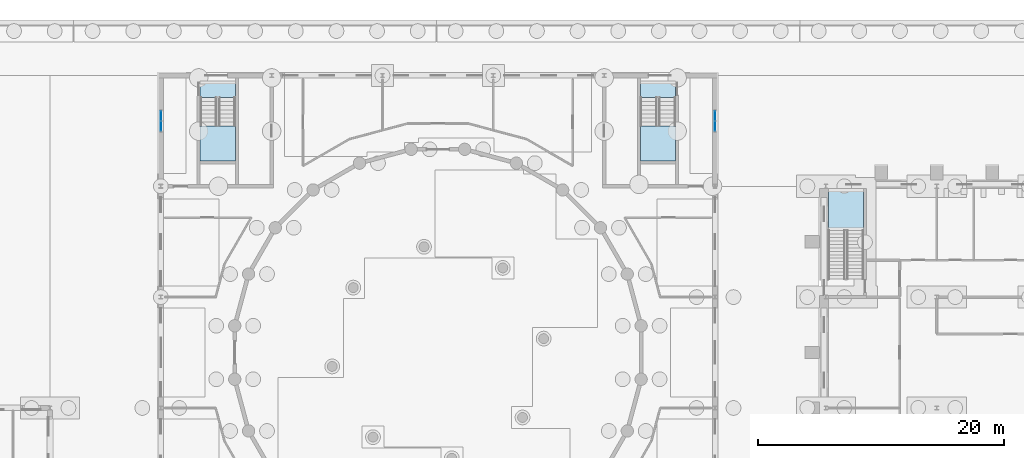
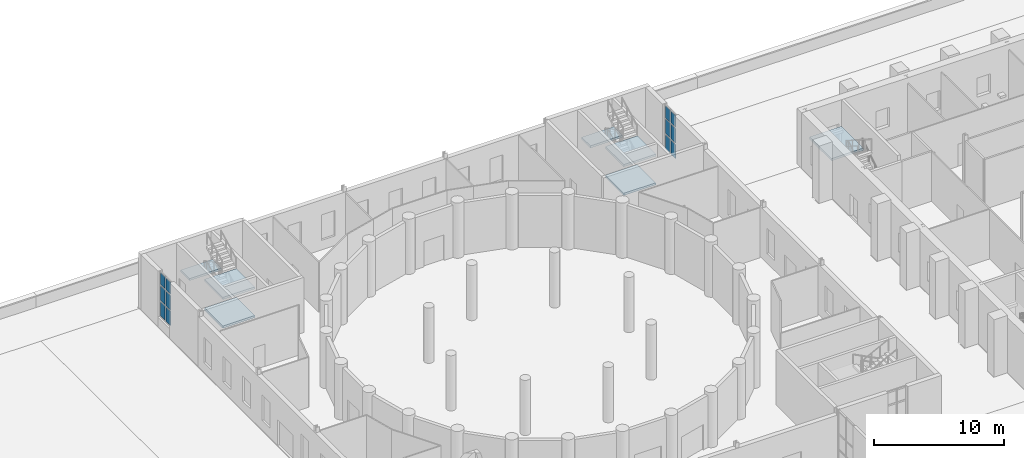
# One storey, part 82 of 168: 12 plates, 7 slabs, 5 elements without a shape of their own.
"""IFC4 building model written with IfcOpenShell, lengths in metres."""

import ifcopenshell
import ifcopenshell.guid

model = None  # the IFC model being written
_history = None  # IfcOwnerHistory: only IFC2X3 demands one
_inside = {}  # id of a spatial element -> (the spatial element, [elements in it])
_under = {}  # id of a project, library or spatial element -> (it, [spatial elements below it])
_declared = {}  # id of a project -> (the project, [libraries it declares])
_typed = {}  # id of a type object -> (the type object, [elements of that type])
_made_of = {}  # id of a material, layer set ... -> (it, [elements and type objects made of it])


def new_model(schema):
    """Start an empty IFC model of exactly this schema.

    Asked for "IFC4X3", IfcOpenShell would pick the latest addendum, in which some entities
    have other attributes; the version numbers below select the first issue.
    IFC2X3 requires an IfcOwnerHistory on every rooted entity: one is made here for all.
    """
    global model, _history
    if schema == "IFC4X3":
        model = ifcopenshell.file(schema_version=(4, 3, 0, 0))
    else:
        model = ifcopenshell.file(schema=schema)
    _inside.clear()
    _under.clear()
    _declared.clear()
    _typed.clear()
    _made_of.clear()
    _history = None
    if model.schema == "IFC2X3":
        org = make("IfcOrganization", Name="unknown")
        user = make(
            "IfcPersonAndOrganization",
            ThePerson=make("IfcPerson", FamilyName="unknown"),
            TheOrganization=org,
        )
        app = make(
            "IfcApplication",
            ApplicationDeveloper=org,
            Version="unknown",
            ApplicationFullName="unknown",
            ApplicationIdentifier="unknown",
        )
        _history = make(
            "IfcOwnerHistory",
            OwningUser=user,
            OwningApplication=app,
            ChangeAction="ADDED",
            CreationDate=0,
        )
    return model


def make(cls, **values):
    """One entity of the class cls with the attributes given. An attribute that is None is left unset."""
    return model.create_entity(
        cls, **{name: value for name, value in values.items() if value is not None}
    )


def rooted(cls, **values):
    """An entity with a GlobalId (a new one), such as an element, a storey or a relation."""
    return make(cls, GlobalId=ifcopenshell.guid.new(), OwnerHistory=_history, **values)


def si_unit(unit_type, name, prefix=None):
    """IfcSIUnit, for example si_unit("LENGTHUNIT", "METRE", prefix="MILLI")."""
    return make("IfcSIUnit", UnitType=unit_type, Prefix=prefix, Name=name)


def assignment(units):
    """IfcUnitAssignment: the units of a project."""
    return None if units is None else make("IfcUnitAssignment", Units=units)


def point(xyz):
    """IfcCartesianPoint."""
    return None if xyz is None else make("IfcCartesianPoint", Coordinates=xyz)


def direction(xyz):
    """IfcDirection."""
    return None if xyz is None else make("IfcDirection", DirectionRatios=xyz)


def frame(location, z_axis=None, x_axis=None):
    """IfcAxis2Placement3D, a coordinate frame: its origin and axes. An axis left out is left unset."""
    return make(
        "IfcAxis2Placement3D",
        Location=point(location),
        Axis=direction(z_axis),
        RefDirection=direction(x_axis),
    )


def frame_2d(location, x_axis=None):
    """IfcAxis2Placement2D, a coordinate frame in the plane: its origin and x axis."""
    return make(
        "IfcAxis2Placement2D", Location=point(location), RefDirection=direction(x_axis)
    )


def origin():
    """The frame at (0, 0, 0) with its axes left unset."""
    return frame((0.0, 0.0, 0.0))


def origin_2d():
    """The frame at (0, 0) in the plane with its x axis left unset."""
    return frame_2d((0.0, 0.0))


def place(relative_to, where):
    """IfcLocalPlacement: puts the frame where relative to a parent placement (None: the world)."""
    return make(
        "IfcLocalPlacement", PlacementRelTo=relative_to, RelativePlacement=where
    )


def context(
    kind, dimensions, precision=None, world=None, true_north=None, identifier=None
):
    """IfcGeometricRepresentationContext, for example the 3D "Model" context."""
    return make(
        "IfcGeometricRepresentationContext",
        ContextIdentifier=identifier,
        ContextType=kind,
        CoordinateSpaceDimension=dimensions,
        Precision=precision,
        WorldCoordinateSystem=world,
        TrueNorth=true_north,
    )


def subcontext(parent, identifier, kind, view, scale=None):
    """IfcGeometricRepresentationSubContext, for example "Body" below "Model"."""
    return make(
        "IfcGeometricRepresentationSubContext",
        ContextIdentifier=identifier,
        ContextType=kind,
        ParentContext=parent,
        TargetScale=scale,
        TargetView=view,
    )


def project(units=None, contexts=None):
    """IfcProject with its units and contexts."""
    return rooted(
        "IfcProject",
        Name="project",
        RepresentationContexts=contexts,
        UnitsInContext=assignment(units),
    )


def spatial(cls, under=None, at=None, **own):
    """A site, building, storey or space (cls), placed at a placement, below another one or the project."""
    s = rooted(cls, ObjectPlacement=at, **own)
    if under is not None:
        _under.setdefault(under.id(), (under, []))[1].append(s)
    return s


def polyline(points):
    """IfcPolyline through the points."""
    return make("IfcPolyline", Points=[point(p) for p in points])


def profile(cls, at=None, kind="AREA", **sizes):
    """A parametric profile (cls). Its sizes go by their IFC names, for example OverallWidth=200.0."""
    return make(cls, ProfileType=kind, Position=at, **sizes)


def rectangle(**sizes):
    """IfcRectangleProfileDef."""
    return profile("IfcRectangleProfileDef", **sizes)


def outline(outer, holes=None, kind="AREA"):
    """IfcArbitraryClosedProfileDef: a profile drawn as a closed curve; with holes, ...WithVoids."""
    if holes is None:
        return make("IfcArbitraryClosedProfileDef", ProfileType=kind, OuterCurve=outer)
    return make(
        "IfcArbitraryProfileDefWithVoids",
        ProfileType=kind,
        OuterCurve=outer,
        InnerCurves=holes,
    )


def extrude(swept, where, along, depth):
    """IfcExtrudedAreaSolid: the profile swept, set in the frame where, extruded along a direction by depth."""
    return make(
        "IfcExtrudedAreaSolid",
        SweptArea=swept,
        Position=where,
        ExtrudedDirection=direction(along),
        Depth=depth,
    )


def shape(context_of_items, identifier, shape_type, items):
    """IfcShapeRepresentation: the items that make up one representation, for example the "Body"."""
    return make(
        "IfcShapeRepresentation",
        ContextOfItems=context_of_items,
        RepresentationIdentifier=identifier,
        RepresentationType=shape_type,
        Items=items,
    )


def material(Name=None, Category=None):
    """IfcMaterial."""
    return make("IfcMaterial", Name=Name, Category=Category)


def layer(
    of_material, thickness, ventilated=None, Name=None, Category=None, Priority=None
):
    """IfcMaterialLayer: one layer of a wall or slab, of a material (None: an air gap)."""
    return make(
        "IfcMaterialLayer",
        Material=of_material,
        LayerThickness=thickness,
        IsVentilated=ventilated,
        Name=Name,
        Category=Category,
        Priority=Priority,
    )


def layer_set(layers, Name=None):
    """IfcMaterialLayerSet."""
    return make("IfcMaterialLayerSet", MaterialLayers=layers, LayerSetName=Name)


def made_of(thing, what):
    """Note that an element or type object is made of a material, layer set ...; save() writes the relation."""
    if what is not None:
        _made_of.setdefault(what.id(), (what, []))[1].append(thing)
    return thing


def type_object(cls, material=None, **own):
    """A type object (cls), such as IfcWallType, which elements share."""
    return made_of(rooted(cls, **own), material)


def element(
    cls,
    number,
    at=None,
    inside=None,
    cuts=None,
    type_object=None,
    material=None,
    context=None,
    identifier="Body",
    shape_type=None,
    held_by="IfcProductDefinitionShape",
    body=None,
    shapes=None,
    **own,
):
    """One element of the class cls, such as IfcWall. Its Tag is "e" and its number.

    at: its placement. inside: the storey or other place that contains it. cuts: it is an
    opening in that element (IfcRelVoidsElement). A single representation is given by context,
    identifier, shape_type and body (its items); several are given by shapes. held_by: the class
    of the entity that holds the representations. save() writes the other relations.
    """
    e = rooted(cls, Tag="e%d" % number, ObjectPlacement=at, **own)
    if body is not None:
        shapes = [shape(context, identifier, shape_type, body)]
    if shapes is not None:
        e.Representation = make(held_by, Representations=shapes)
    if inside is not None:
        _inside.setdefault(inside.id(), (inside, []))[1].append(e)
    if cuts is not None:
        rooted(
            "IfcRelVoidsElement", RelatingBuildingElement=cuts, RelatedOpeningElement=e
        )
    if type_object is not None:
        _typed.setdefault(type_object.id(), (type_object, []))[1].append(e)
    return made_of(e, material)


def aggregate(whole, parts):
    """IfcRelAggregates: a whole, such as a stair, and the parts it consists of."""
    return rooted("IfcRelAggregates", RelatingObject=whole, RelatedObjects=parts)


def save(model, path):
    """Write the relations noted so far, then the file.

    IfcRelAggregates (storeys below a building ...), IfcRelContainedInSpatialStructure (elements
    in a storey), IfcRelDefinesByType, IfcRelAssociatesMaterial and IfcRelDeclares: one each for
    every whole, place, type object, material and project.
    """
    for whole, parts in _under.values():
        aggregate(whole, parts)
    for where, things in _inside.values():
        rooted(
            "IfcRelContainedInSpatialStructure",
            RelatedElements=things,
            RelatingStructure=where,
        )
    for kind, things in _typed.values():
        rooted("IfcRelDefinesByType", RelatedObjects=things, RelatingType=kind)
    for what, things in _made_of.values():
        rooted("IfcRelAssociatesMaterial", RelatedObjects=things, RelatingMaterial=what)
    for by, libraries in _declared.values():
        rooted("IfcRelDeclares", RelatingContext=by, RelatedDefinitions=libraries)
    model.write(path)


model = new_model("IFC4")

# Units and contexts
model_context = context("Model", 3, precision=1e-05, world=origin(), true_north=direction((0.0, 1.0)))
body_context = subcontext(model_context, "Body", "Model", "MODEL_VIEW")
ifc_project = project(units=[si_unit("LENGTHUNIT", "METRE"), si_unit("AREAUNIT", "SQUARE_METRE"), si_unit("VOLUMEUNIT", "CUBIC_METRE"), si_unit("PLANEANGLEUNIT", "RADIAN"), si_unit("MASSUNIT", "GRAM", prefix="KILO")], contexts=[model_context])

# Site, building, storey
site_placement = place(None, origin())
site = spatial("IfcSite", under=ifc_project, at=site_placement, CompositionType="ELEMENT")
building_placement = place(site_placement, origin())
building = spatial("IfcBuilding", under=site, at=building_placement, Name="Golden Quay Civic Hall", CompositionType="ELEMENT")
storey_placement = place(building_placement, origin())
storey = spatial("IfcBuildingStorey", under=building, at=storey_placement, Name="L00", CompositionType="ELEMENT", Elevation=0.0)

# Stair, slab
ifc_material_1 = material(Name="Concrete C40/50", Category="concrete")
stair_type_1 = type_object("IfcStairType", Name="Concrete half-turn stair 30 risers", PredefinedType="HALF_TURN_STAIR", material=ifc_material_1)
stair_1_placement = place(storey_placement, origin())
stair_1 = element("IfcStair", 1, at=stair_1_placement, inside=storey, type_object=stair_type_1, Name="L00 Protected Exit Stair LB-N", PredefinedType="HALF_TURN_STAIR")
ifc_material_2 = material(Name="Concrete C35/45", Category="concrete")
ifc_layer_1 = layer(ifc_material_2, 0.199951171875)
ifc_layer_set_1 = layer_set([ifc_layer_1], Name="Concrete stair landing 200, Concrete C35/45")
slab_type_1 = type_object("IfcSlabType", Name="Concrete stair landing 200", PredefinedType="LANDING", material=ifc_layer_set_1)
slab_1_placement = place(storey_placement, frame((0.0, 0.0, 2.5)))
slab_1 = element("IfcSlab", 2, at=slab_1_placement, type_object=slab_type_1, Name="LB-STN landing 1", PredefinedType="LANDING", context=body_context, shape_type="SweptSolid", body=[
    extrude(outline(polyline([(120.050048828125, 95.39501953125), (120.050048828125, 98.800048828125), (117.199951171875, 98.800048828125), (117.199951171875, 95.39501953125), (120.050048828125, 95.39501953125)])), origin(), (0.0, 0.0, 1.0), 0.199951171875),
])
aggregate(stair_1, [slab_1])

# Curtain wall, plates
ifc_material_3 = material(Name="Fire-resisting glass and steel", Category="steel")
curtain_wall_type = type_object("IfcCurtainWallType", Name="Fire-resisting glazed stair curtain wall EI 120", PredefinedType="NOTDEFINED", material=ifc_material_3)
curtain_wall_1_placement = place(storey_placement, origin())
curtain_wall_1 = element("IfcCurtainWall", 3, at=curtain_wall_1_placement, inside=storey, type_object=curtain_wall_type, Name="CW4 stair curtain wall", PredefinedType="NOTDEFINED")
ifc_material_4 = material(Name="Fire-resisting laminated glass", Category="glass")
ifc_layer_2 = layer(ifc_material_4, 0.0400390625)
ifc_layer_set_2 = layer_set([ifc_layer_2], Name="Fire-resisting glazed stair panel 40")
plate_type = type_object("IfcPlateType", Name="Fire-resisting glazed stair panel 40", PredefinedType="CURTAIN_PANEL", material=ifc_layer_set_2)
plate_1_placement = place(storey_placement, frame((63.0, 103.8798828125, 1.02001953125), z_axis=(0.0, 0.0, 1.0), x_axis=(0.0, 1.0, 0.0)))
plate_1 = element("IfcPlate", 4, at=plate_1_placement, type_object=plate_type, Name="CW4 panel 1.1", PredefinedType="CURTAIN_PANEL", context=body_context, shape_type="SweptSolid", body=[
    extrude(rectangle(XDim=0.719970703125, YDim=0.0400390625, at=origin_2d()), origin(), (0.0, 0.0, 1.0), 1.320068359375),
])
plate_2_placement = place(storey_placement, frame((63.0, 103.8798828125, 2.4599609375), z_axis=(0.0, 0.0, 1.0), x_axis=(0.0, 1.0, 0.0)))
plate_2 = element("IfcPlate", 5, at=plate_2_placement, type_object=plate_type, Name="CW4 panel 1.2", PredefinedType="CURTAIN_PANEL", context=body_context, shape_type="SweptSolid", body=[
    extrude(rectangle(XDim=0.719970703125, YDim=0.0400390625, at=origin_2d()), origin(), (0.0, 0.0, 1.0), 1.3798828125),
])
plate_3_placement = place(storey_placement, frame((63.0, 103.8798828125, 3.9599609375), z_axis=(0.0, 0.0, 1.0), x_axis=(0.0, 1.0, 0.0)))
plate_3 = element("IfcPlate", 6, at=plate_3_placement, type_object=plate_type, Name="CW4 panel 1.3", PredefinedType="CURTAIN_PANEL", context=body_context, shape_type="SweptSolid", body=[
    extrude(rectangle(XDim=0.719970703125, YDim=0.0400390625, at=origin_2d()), origin(), (0.0, 0.0, 1.0), 1.1201171875),
])
plate_4_placement = place(storey_placement, frame((63.0, 104.719970703125, 1.02001953125), z_axis=(0.0, 0.0, 1.0), x_axis=(0.0, 1.0, 0.0)))
plate_4 = element("IfcPlate", 7, at=plate_4_placement, type_object=plate_type, Name="CW4 panel 2.1", PredefinedType="CURTAIN_PANEL", context=body_context, shape_type="SweptSolid", body=[
    extrude(rectangle(XDim=0.719970703125, YDim=0.0400390625, at=origin_2d()), origin(), (0.0, 0.0, 1.0), 1.320068359375),
])
plate_5_placement = place(storey_placement, frame((63.0, 104.719970703125, 2.4599609375), z_axis=(0.0, 0.0, 1.0), x_axis=(0.0, 1.0, 0.0)))
plate_5 = element("IfcPlate", 8, at=plate_5_placement, type_object=plate_type, Name="CW4 panel 2.2", PredefinedType="CURTAIN_PANEL", context=body_context, shape_type="SweptSolid", body=[
    extrude(rectangle(XDim=0.719970703125, YDim=0.0400390625, at=origin_2d()), origin(), (0.0, 0.0, 1.0), 1.3798828125),
])
plate_6_placement = place(storey_placement, frame((63.0, 104.719970703125, 3.9599609375), z_axis=(0.0, 0.0, 1.0), x_axis=(0.0, 1.0, 0.0)))
plate_6 = element("IfcPlate", 9, at=plate_6_placement, type_object=plate_type, Name="CW4 panel 2.3", PredefinedType="CURTAIN_PANEL", context=body_context, shape_type="SweptSolid", body=[
    extrude(rectangle(XDim=0.719970703125, YDim=0.0400390625, at=origin_2d()), origin(), (0.0, 0.0, 1.0), 1.1201171875),
])
aggregate(curtain_wall_1, [plate_1, plate_2, plate_3, plate_4, plate_5, plate_6])

curtain_wall_2_placement = place(storey_placement, origin())
curtain_wall_2 = element("IfcCurtainWall", 10, at=curtain_wall_2_placement, inside=storey, type_object=curtain_wall_type, Name="CW4 stair curtain wall", PredefinedType="NOTDEFINED")
plate_7_placement = place(storey_placement, frame((108.0, 103.8798828125, 1.02001953125), z_axis=(0.0, 0.0, 1.0), x_axis=(0.0, 1.0, 0.0)))
plate_7 = element("IfcPlate", 11, at=plate_7_placement, type_object=plate_type, Name="CW4 panel 1.1", PredefinedType="CURTAIN_PANEL", context=body_context, shape_type="SweptSolid", body=[
    extrude(rectangle(XDim=0.719970703125, YDim=0.0400390625, at=origin_2d()), origin(), (0.0, 0.0, 1.0), 1.320068359375),
])
plate_8_placement = place(storey_placement, frame((108.0, 103.8798828125, 2.4599609375), z_axis=(0.0, 0.0, 1.0), x_axis=(0.0, 1.0, 0.0)))
plate_8 = element("IfcPlate", 12, at=plate_8_placement, type_object=plate_type, Name="CW4 panel 1.2", PredefinedType="CURTAIN_PANEL", context=body_context, shape_type="SweptSolid", body=[
    extrude(rectangle(XDim=0.719970703125, YDim=0.0400390625, at=origin_2d()), origin(), (0.0, 0.0, 1.0), 1.3798828125),
])
plate_9_placement = place(storey_placement, frame((108.0, 103.8798828125, 3.9599609375), z_axis=(0.0, 0.0, 1.0), x_axis=(0.0, 1.0, 0.0)))
plate_9 = element("IfcPlate", 13, at=plate_9_placement, type_object=plate_type, Name="CW4 panel 1.3", PredefinedType="CURTAIN_PANEL", context=body_context, shape_type="SweptSolid", body=[
    extrude(rectangle(XDim=0.719970703125, YDim=0.0400390625, at=origin_2d()), origin(), (0.0, 0.0, 1.0), 1.1201171875),
])
plate_10_placement = place(storey_placement, frame((108.0, 104.719970703125, 1.02001953125), z_axis=(0.0, 0.0, 1.0), x_axis=(0.0, 1.0, 0.0)))
plate_10 = element("IfcPlate", 14, at=plate_10_placement, type_object=plate_type, Name="CW4 panel 2.1", PredefinedType="CURTAIN_PANEL", context=body_context, shape_type="SweptSolid", body=[
    extrude(rectangle(XDim=0.719970703125, YDim=0.0400390625, at=origin_2d()), origin(), (0.0, 0.0, 1.0), 1.320068359375),
])
plate_11_placement = place(storey_placement, frame((108.0, 104.719970703125, 2.4599609375), z_axis=(0.0, 0.0, 1.0), x_axis=(0.0, 1.0, 0.0)))
plate_11 = element("IfcPlate", 15, at=plate_11_placement, type_object=plate_type, Name="CW4 panel 2.2", PredefinedType="CURTAIN_PANEL", context=body_context, shape_type="SweptSolid", body=[
    extrude(rectangle(XDim=0.719970703125, YDim=0.0400390625, at=origin_2d()), origin(), (0.0, 0.0, 1.0), 1.3798828125),
])
plate_12_placement = place(storey_placement, frame((108.0, 104.719970703125, 3.9599609375), z_axis=(0.0, 0.0, 1.0), x_axis=(0.0, 1.0, 0.0)))
plate_12 = element("IfcPlate", 16, at=plate_12_placement, type_object=plate_type, Name="CW4 panel 2.3", PredefinedType="CURTAIN_PANEL", context=body_context, shape_type="SweptSolid", body=[
    extrude(rectangle(XDim=0.719970703125, YDim=0.0400390625, at=origin_2d()), origin(), (0.0, 0.0, 1.0), 1.1201171875),
])
aggregate(curtain_wall_2, [plate_7, plate_8, plate_9, plate_10, plate_11, plate_12])

# Stair, slabs
ifc_material_5 = material(Name="Concrete C35/45", Category="concrete")
stair_type_2 = type_object("IfcStairType", Name="Reinforced concrete stair 1350", PredefinedType="HALF_TURN_STAIR", material=ifc_material_5)
stair_2_placement = place(storey_placement, origin())
stair_2 = element("IfcStair", 17, at=stair_2_placement, inside=storey, type_object=stair_type_2, Name="L00 Core stair NW", PredefinedType="HALF_TURN_STAIR")
ifc_material_6 = material(Name="Concrete C35/45", Category="concrete")
ifc_layer_3 = layer(ifc_material_6, 0.199951171875)
ifc_layer_set_3 = layer_set([ifc_layer_3], Name="Reinforced concrete stair landing 200, Concrete C35/45")
slab_type_2 = type_object("IfcSlabType", Name="Reinforced concrete stair landing 200", PredefinedType="LANDING", material=ifc_layer_set_3)
slab_2_placement = place(storey_placement, frame((0.0, 0.0, 1.14990234375)))
slab_2 = element("IfcSlab", 18, at=slab_2_placement, type_object=slab_type_2, Name="CB-NW landing 1", PredefinedType="LANDING", context=body_context, shape_type="SweptSolid", body=[
    extrude(outline(polyline([(66.199951171875, 103.889892578125), (66.199951171875, 101.050048828125), (69.050048828125, 101.050048828125), (69.050048828125, 103.889892578125), (66.199951171875, 103.889892578125)])), origin(), (0.0, 0.0, 1.0), 0.2001953125),
])
slab_3_placement = place(storey_placement, frame((0.0, 0.0, 2.5)))
slab_3 = element("IfcSlab", 19, at=slab_3_placement, type_object=slab_type_2, Name="CB-NW landing 2", PredefinedType="LANDING", context=body_context, shape_type="SweptSolid", body=[
    extrude(outline(polyline([(66.199951171875, 107.550048828125), (66.199951171875, 106.199951171875), (69.050048828125, 106.199951171875), (69.050048828125, 107.550048828125), (66.199951171875, 107.550048828125)])), origin(), (0.0, 0.0, 1.0), 0.199951171875),
])
slab_4_placement = place(storey_placement, frame((0.0, 0.0, 3.85009765625)))
slab_4 = element("IfcSlab", 20, at=slab_4_placement, type_object=slab_type_2, Name="CB-NW landing 3", PredefinedType="LANDING", context=body_context, shape_type="SweptSolid", body=[
    extrude(outline(polyline([(66.199951171875, 103.889892578125), (66.199951171875, 101.050048828125), (69.050048828125, 101.050048828125), (69.050048828125, 103.889892578125), (66.199951171875, 103.889892578125)])), origin(), (0.0, 0.0, 1.0), 0.199951171875),
])
aggregate(stair_2, [slab_2, slab_3, slab_4])

stair_3_placement = place(storey_placement, origin())
stair_3 = element("IfcStair", 21, at=stair_3_placement, inside=storey, type_object=stair_type_2, Name="L00 Core stair NE", PredefinedType="HALF_TURN_STAIR")
slab_5_placement = place(storey_placement, frame((0.0, 0.0, 1.14990234375)))
slab_5 = element("IfcSlab", 22, at=slab_5_placement, type_object=slab_type_2, Name="CB-NE landing 1", PredefinedType="LANDING", context=body_context, shape_type="SweptSolid", body=[
    extrude(outline(polyline([(101.949951171875, 103.889892578125), (101.949951171875, 101.050048828125), (104.800048828125, 101.050048828125), (104.800048828125, 103.889892578125), (101.949951171875, 103.889892578125)])), origin(), (0.0, 0.0, 1.0), 0.2001953125),
])
slab_6_placement = place(storey_placement, frame((0.0, 0.0, 2.5)))
slab_6 = element("IfcSlab", 23, at=slab_6_placement, type_object=slab_type_2, Name="CB-NE landing 2", PredefinedType="LANDING", context=body_context, shape_type="SweptSolid", body=[
    extrude(outline(polyline([(101.949951171875, 107.550048828125), (101.949951171875, 106.199951171875), (104.800048828125, 106.199951171875), (104.800048828125, 107.550048828125), (101.949951171875, 107.550048828125)])), origin(), (0.0, 0.0, 1.0), 0.199951171875),
])
slab_7_placement = place(storey_placement, frame((0.0, 0.0, 3.85009765625)))
slab_7 = element("IfcSlab", 24, at=slab_7_placement, type_object=slab_type_2, Name="CB-NE landing 3", PredefinedType="LANDING", context=body_context, shape_type="SweptSolid", body=[
    extrude(outline(polyline([(101.949951171875, 103.889892578125), (101.949951171875, 101.050048828125), (104.800048828125, 101.050048828125), (104.800048828125, 103.889892578125), (101.949951171875, 103.889892578125)])), origin(), (0.0, 0.0, 1.0), 0.199951171875),
])
aggregate(stair_3, [slab_5, slab_6, slab_7])

save(model, "model.ifc")
